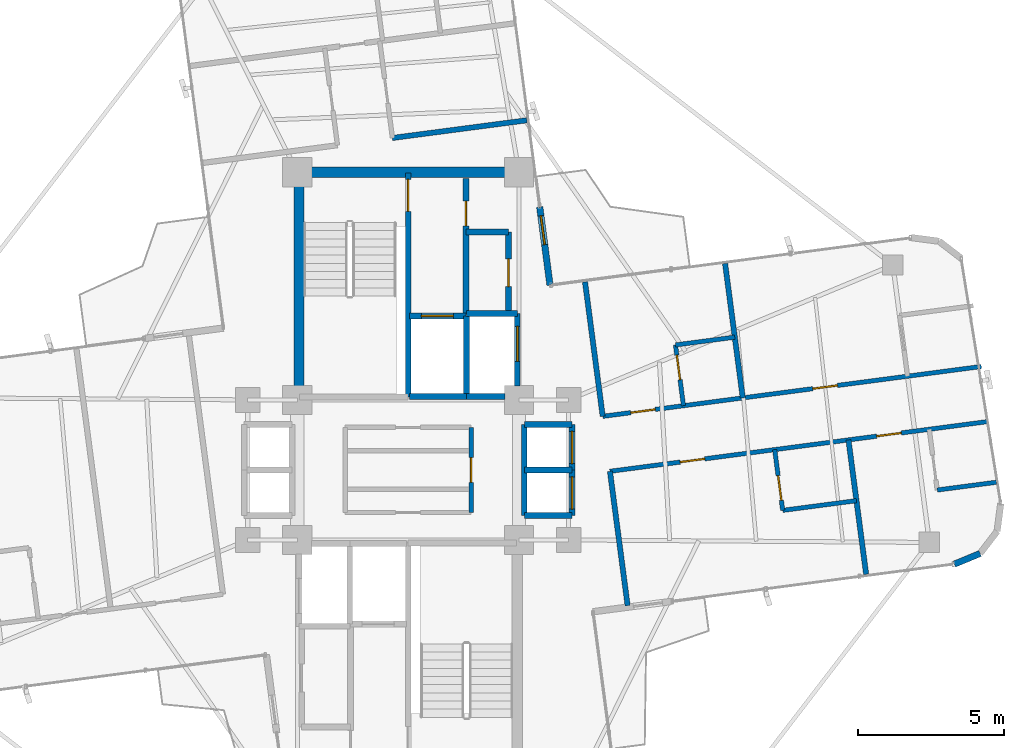
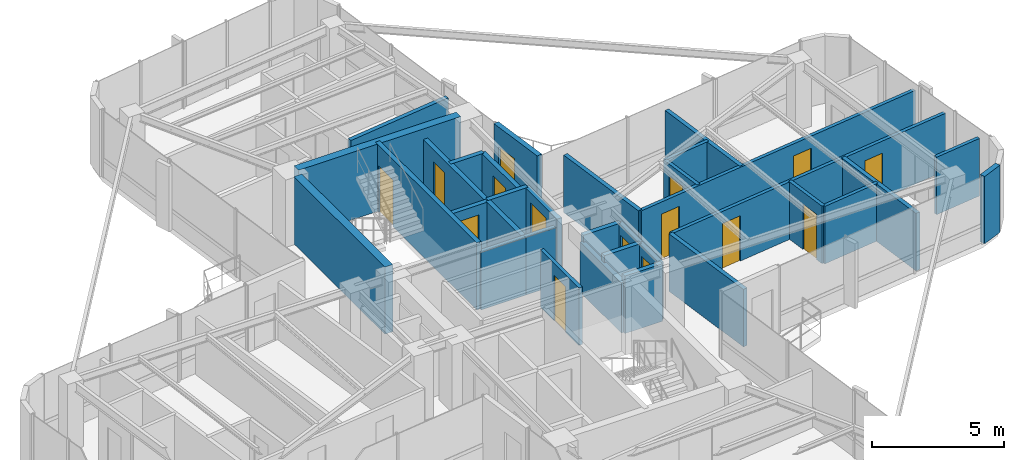
# One storey, part 19 of 21: 33 walls, 15 doors, 15 openings.
"""IFC4 building model written with IfcOpenShell, lengths in metres."""

from ifc_helpers import new_model, si_unit, direction, frame, frame_2d, origin, origin_2d, place, context, subcontext, project, spatial, rectangle, extrude, source, transform, mapped, material, layer, layer_set, type_object, element, fill, save


model = new_model("IFC4")

# Units and contexts
model_context = context("Model", 3, precision=1e-05, world=origin(), true_north=direction((0.0, 1.0)))
body_context = subcontext(model_context, "Body", "Model", "MODEL_VIEW")
ifc_project = project(units=[si_unit("LENGTHUNIT", "METRE"), si_unit("AREAUNIT", "SQUARE_METRE"), si_unit("VOLUMEUNIT", "CUBIC_METRE"), si_unit("PLANEANGLEUNIT", "RADIAN"), si_unit("MASSUNIT", "GRAM", prefix="KILO")], contexts=[model_context])

# Site, building, storey
site_placement = place(None, origin())
site = spatial("IfcSite", under=ifc_project, at=site_placement, CompositionType="ELEMENT")
building_placement = place(site_placement, origin())
building = spatial("IfcBuilding", under=site, at=building_placement, Name="Sahyath Konkavel Grand Hotel", CompositionType="ELEMENT")
storey_placement = place(building_placement, frame((0.0, 0.0, 219.89990234375)))
storey = spatial("IfcBuildingStorey", under=building, at=storey_placement, Name="L61", CompositionType="ELEMENT", Elevation=219.89990234375)

# Walls
ifc_material_1 = material(Name="Concrete C40/50", Category="concrete")
ifc_layer_1 = layer(ifc_material_1, 0.35009765625)
ifc_layer_set_1 = layer_set([ifc_layer_1], Name="Concrete C40/50")
wall_type_1 = type_object("IfcWallType", Name="CWALL-350", PredefinedType="SHEAR", material=ifc_layer_set_1)
wall_1_placement = place(storey_placement, frame((-3.550048828125, 10.199951171875, 0.0), z_axis=(0.0, 0.0, 1.0), x_axis=(1.0, 0.0, 0.0)))
element("IfcWall", 1, at=wall_1_placement, inside=storey, type_object=wall_type_1, Name="L61 North Core Shear Wall N", PredefinedType="SHEAR", context=body_context, shape_type="SweptSolid", body=[
    extrude(rectangle(XDim=7.10009765625, YDim=0.35009765625, at=frame_2d((3.550048828125, 0.0))), origin(), (0.0, 0.0, 1.0), 3.110107421875),
])
wall_2_placement = place(storey_placement, frame((-3.739990234375, 2.85009765625, 0.0), z_axis=(0.0, 0.0, 1.0), x_axis=(0.0, 1.0, 0.0)))
element("IfcWall", 2, at=wall_2_placement, inside=storey, type_object=wall_type_1, Name="L61 North Core Shear Wall W", PredefinedType="SHEAR", context=body_context, shape_type="SweptSolid", body=[
    extrude(rectangle(XDim=6.89990234375, YDim=0.35009765625, at=frame_2d((3.449951171875, 0.0))), origin(), (0.0, 0.0, 1.0), 3.110107421875),
])
ifc_material_2 = material(Name="Warm Buff Sandstone Insulated Concrete C40/50", Category="masonry")
ifc_layer_2 = layer(ifc_material_2, 0.219970703125)
ifc_layer_set_2 = layer_set([ifc_layer_2], Name="Warm Buff Sandstone Insulated Concrete C40/50")
wall_type_2 = type_object("IfcWallType", Name="WLL-BALC-THRESH", PredefinedType="STANDARD", material=ifc_layer_set_2)
wall_3_placement = place(storey_placement, frame((18.71875, -3.230224609375, 0.0), z_axis=(0.0, 0.0, 1.0), x_axis=(0.923979554509, 0.382441868588, 0.0)))
element("IfcWall", 3, at=wall_3_placement, inside=storey, type_object=wall_type_2, Name="L61 Rounded Corner Sandstone Pier 1", PredefinedType="STANDARD", context=body_context, shape_type="SweptSolid", body=[
    extrude(rectangle(XDim=0.95751953125, YDim=0.219970703125, at=frame_2d((0.478759765625, 0.0))), origin(), (0.0, 0.0, 1.0), 3.110107421875),
])

# Wall, opening, door
wall_4_placement = place(storey_placement, frame((4.860595703125, 6.334716796875, 0.0), z_axis=(0.0, 0.0, 1.0), x_axis=(-0.130487261016, 0.991449985986, 0.0)))
wall_4 = element("IfcWall", 4, at=wall_4_placement, inside=storey, type_object=wall_type_2, Name="L61 Winter-Garden Threshold Wall 8", PredefinedType="STANDARD", context=body_context, shape_type="SweptSolid", body=[
    extrude(rectangle(XDim=2.699951171875, YDim=0.219970703125, at=frame_2d((1.35009765625, 0.0))), origin(), (0.0, 0.0, 1.0), 3.110107421875),
])
opening_1_placement = place(wall_4_placement, frame((1.39990234375, 0.0, 0.0)))
opening_1 = element("IfcOpeningElement", 5, at=opening_1_placement, cuts=wall_4, Name="Opening D-TR1", PredefinedType="OPENING", context=body_context, shape_type="SweptSolid", body=[
    extrude(rectangle(XDim=1.0, YDim=2.199951171875, at=frame_2d((0.5, 1.10009765625))), frame((0.0, 0.1201171875, 0.0), z_axis=(0.0, -1.0, 0.0), x_axis=(1.0, 0.0, 0.0)), (0.0, 0.0, 1.0), 0.239990234375),
])
ifc_material_3 = material(Name="Anodised Bronze Aluminium & Low-E Glazing", Category="aluminium")
door_type_1 = type_object("IfcDoorType", Name="DR-TERRACE-1000", OperationType="NOTDEFINED", PredefinedType="DOOR", material=ifc_material_3)
shared_shape_1 = source(origin(), body_context, "Body", "SweptSolid", [
    extrude(rectangle(XDim=1.0, YDim=0.050048828125, at=origin_2d()), origin(), (0.0, 0.0, 1.0), 2.199951171875),
])
door_1_placement = place(opening_1_placement, frame((0.5, 0.0, 0.0)))
door_1 = element("IfcDoor", 6, at=door_1_placement, inside=storey, type_object=door_type_1, Name="L61 Winter-Garden Terrace Door 8", OperationType="SINGLE_SWING_LEFT", OverallHeight=2.199951171875, OverallWidth=1.0, PredefinedType="DOOR", context=body_context, shape_type="MappedRepresentation", body=[
    mapped(shared_shape_1, transform((0.0, 0.0, 0.0), scale=1.0)),
])
fill(opening_1, door_1)

ifc_layer_3 = layer(ifc_material_1, 0.199951171875)
ifc_layer_set_3 = layer_set([ifc_layer_3], Name="Concrete C40/50")
wall_type_3 = type_object("IfcWallType", Name="WLL-CORE-200", PredefinedType="SOLIDWALL", material=ifc_layer_set_3)
wall_5_placement = place(storey_placement, frame((0.0, 2.5, 0.0), z_axis=(0.0, 0.0, 1.0), x_axis=(0.0, 1.0, 0.0)))
wall_5 = element("IfcWall", 7, at=wall_5_placement, inside=storey, type_object=wall_type_3, Name="L61 Stair ST-1 Shaft Wall E", PredefinedType="SOLIDWALL", context=body_context, shape_type="SweptSolid", body=[
    extrude(rectangle(XDim=7.679931640625, YDim=0.199951171875, at=frame_2d((3.83984375, 0.0))), origin(), (0.0, 0.0, 1.0), 3.110107421875),
])
opening_2_placement = place(wall_5_placement, frame((6.360107421875, 0.0, 0.0)))
opening_2 = element("IfcOpeningElement", 8, at=opening_2_placement, cuts=wall_5, Name="Opening D-F12B", PredefinedType="OPENING", context=body_context, shape_type="SweptSolid", body=[
    extrude(rectangle(XDim=1.10009765625, YDim=2.14990234375, at=frame_2d((0.550048828125, 1.074951171875))), frame((0.0, 0.10986328125, 0.0), z_axis=(0.0, -1.0, 0.0), x_axis=(1.0, 0.0, 0.0)), (0.0, 0.0, 1.0), 0.219970703125),
])
ifc_material_4 = material(Name="Steel E350 Smokeproof Fire Door", Category="steel")
door_type_2 = type_object("IfcDoorType", Name="DR-FD120-1100", OperationType="NOTDEFINED", PredefinedType="DOOR", material=ifc_material_4)
shared_shape_2 = source(origin(), body_context, "Body", "SweptSolid", [
    extrude(rectangle(XDim=1.10009765625, YDim=0.050048828125, at=origin_2d()), origin(), (0.0, 0.0, 1.0), 2.14990234375),
])
door_2_placement = place(opening_2_placement, frame((0.550048828125, 0.0, 0.0)))
door_2 = element("IfcDoor", 9, at=door_2_placement, inside=storey, type_object=door_type_2, Name="L61 Stair ST-1 Fire Door", OperationType="SINGLE_SWING_LEFT", OverallHeight=2.14990234375, OverallWidth=1.10009765625, PredefinedType="DOOR", context=body_context, shape_type="MappedRepresentation", body=[
    mapped(shared_shape_2, transform((0.0, 0.0, 0.0), scale=1.0)),
])
fill(opening_2, door_2)

wall_6_placement = place(storey_placement, frame((1.97998046875, 5.320068359375, 0.0), z_axis=(0.0, 0.0, 1.0), x_axis=(0.0, 1.0, 0.0)))
wall_6 = element("IfcWall", 10, at=wall_6_placement, inside=storey, type_object=wall_type_3, Name="L61 North Firefighting Lobby Wall E", PredefinedType="SOLIDWALL", context=body_context, shape_type="SweptSolid", body=[
    extrude(rectangle(XDim=4.659912109375, YDim=0.199951171875, at=frame_2d((2.330078125, 0.0))), origin(), (0.0, 0.0, 1.0), 2.66015625),
])
opening_3_placement = place(wall_6_placement, frame((3.0400390625, 0.0, 0.0)))
opening_3 = element("IfcOpeningElement", 11, at=opening_3_placement, cuts=wall_6, Name="Opening D-F12D", PredefinedType="OPENING", context=body_context, shape_type="SweptSolid", body=[
    extrude(rectangle(XDim=0.85009765625, YDim=2.10009765625, at=frame_2d((0.425048828125, 1.050048828125))), frame((0.0, 0.10986328125, 0.0), z_axis=(0.0, -1.0, 0.0), x_axis=(1.0, 0.0, 0.0)), (0.0, 0.0, 1.0), 0.219970703125),
])
ifc_material_5 = material(Name="Steel E350 Core Fire Door", Category="steel")
door_type_3 = type_object("IfcDoorType", Name="DR-FD120-850", OperationType="NOTDEFINED", PredefinedType="DOOR", material=ifc_material_5)
shared_shape_3 = source(origin(), body_context, "Body", "SweptSolid", [
    extrude(rectangle(XDim=0.85009765625, YDim=0.050048828125, at=origin_2d()), origin(), (0.0, 0.0, 1.0), 2.10009765625),
])
door_3_placement = place(opening_3_placement, frame((0.425048828125, 0.0, 0.0)))
door_3 = element("IfcDoor", 12, at=door_3_placement, inside=storey, type_object=door_type_3, Name="L61 North Firefighting Lobby Door", OperationType="SINGLE_SWING_LEFT", OverallHeight=2.10009765625, OverallWidth=0.85009765625, PredefinedType="DOOR", context=body_context, shape_type="MappedRepresentation", body=[
    mapped(shared_shape_3, transform((0.0, 0.0, 0.0), scale=1.0)),
])
fill(opening_3, door_3)

# Walls
wall_7_placement = place(storey_placement, frame((2.0, 2.5, 0.0), z_axis=(0.0, 0.0, 1.0), x_axis=(0.0, 1.0, 0.0)))
element("IfcWall", 13, at=wall_7_placement, inside=storey, type_object=wall_type_3, Name="L61 Partition SH-FFL1-E", PredefinedType="SOLIDWALL", context=body_context, shape_type="SweptSolid", body=[
    extrude(rectangle(XDim=2.780029296875, YDim=0.199951171875, at=frame_2d((1.39013671875, 0.0))), origin(), (0.0, 0.0, 1.0), 2.66015625),
])
wall_8_placement = place(storey_placement, frame((0.050048828125, 2.52001953125, 0.0), z_axis=(0.0, 0.0, 1.0), x_axis=(1.0, 0.0, 0.0)))
element("IfcWall", 14, at=wall_8_placement, inside=storey, type_object=wall_type_3, Name="L61 Partition SH-FFL1-S", PredefinedType="SOLIDWALL", context=body_context, shape_type="SweptSolid", body=[
    extrude(rectangle(XDim=1.949951171875, YDim=0.199951171875, at=frame_2d((0.97509765625, 0.0))), origin(), (0.0, 0.0, 1.0), 2.66015625),
])

# Wall, opening, door
wall_9_placement = place(storey_placement, frame((0.050048828125, 5.280029296875, 0.0), z_axis=(0.0, 0.0, 1.0), x_axis=(1.0, 0.0, 0.0)))
wall_9 = element("IfcWall", 15, at=wall_9_placement, inside=storey, type_object=wall_type_3, Name="L61 Partition SH-FFL1-N", PredefinedType="SOLIDWALL", context=body_context, shape_type="SweptSolid", body=[
    extrude(rectangle(XDim=1.929931640625, YDim=0.199951171875, at=frame_2d((0.96484375, 0.0))), origin(), (0.0, 0.0, 1.0), 2.66015625),
])
opening_4_placement = place(wall_9_placement, frame((0.39990234375, 0.0, 0.0)))
opening_4 = element("IfcOpeningElement", 16, at=opening_4_placement, cuts=wall_9, Name="Opening LD-11", PredefinedType="OPENING", context=body_context, shape_type="SweptSolid", body=[
    extrude(rectangle(XDim=1.10009765625, YDim=2.199951171875, at=frame_2d((0.550048828125, 1.10009765625))), frame((0.0, 0.10986328125, 0.0), z_axis=(0.0, -1.0, 0.0), x_axis=(1.0, 0.0, 0.0)), (0.0, 0.0, 1.0), 0.219970703125),
])
ifc_material_6 = material(Name="Bronze Lift Landing Door 1100")
door_type_4 = type_object("IfcDoorType", Name="DR-LIFT-1100", OperationType="DOUBLE_DOOR_SLIDING", PredefinedType="DOOR", material=ifc_material_6)
shared_shape_4 = source(origin(), body_context, "Body", "SweptSolid", [
    extrude(rectangle(XDim=1.10009765625, YDim=0.050048828125, at=origin_2d()), origin(), (0.0, 0.0, 1.0), 2.199951171875),
])
door_4_placement = place(opening_4_placement, frame((0.550048828125, 0.0, 0.0)))
door_4 = element("IfcDoor", 17, at=door_4_placement, inside=storey, type_object=door_type_4, Name="L61 Lift FFL-1 Landing Door", OperationType="DOUBLE_DOOR_SLIDING", OverallHeight=2.199951171875, OverallWidth=1.10009765625, PredefinedType="DOOR", context=body_context, shape_type="MappedRepresentation", body=[
    mapped(shared_shape_4, transform((0.0, 0.0, 0.0), scale=1.0)),
])
fill(opening_4, door_4)

# Walls
wall_10_placement = place(storey_placement, frame((2.0, 2.52001953125, 0.0), z_axis=(0.0, 0.0, 1.0), x_axis=(1.0, 0.0, 0.0)))
element("IfcWall", 18, at=wall_10_placement, inside=storey, type_object=wall_type_3, Name="L61 Partition SH-SVL1-S", PredefinedType="SOLIDWALL", context=body_context, shape_type="SweptSolid", body=[
    extrude(rectangle(XDim=1.320068359375, YDim=0.199951171875, at=frame_2d((0.66015625, 0.0))), origin(), (0.0, 0.0, 1.0), 2.66015625),
])
wall_11_placement = place(storey_placement, frame((2.0, 5.360107421875, 0.0), z_axis=(0.0, 0.0, 1.0), x_axis=(1.0, 0.0, 0.0)))
element("IfcWall", 19, at=wall_11_placement, inside=storey, type_object=wall_type_3, Name="L61 Partition SH-SVL1-N", PredefinedType="SOLIDWALL", context=body_context, shape_type="SweptSolid", body=[
    extrude(rectangle(XDim=1.739990234375, YDim=0.199951171875, at=frame_2d((0.8701171875, 0.0))), origin(), (0.0, 0.0, 1.0), 2.66015625),
])

# Wall, opening, door
wall_12_placement = place(storey_placement, frame((3.739990234375, 2.8798828125, 0.0), z_axis=(0.0, 0.0, 1.0), x_axis=(0.0, 1.0, 0.0)))
wall_12 = element("IfcWall", 20, at=wall_12_placement, inside=storey, type_object=wall_type_3, Name="L61 Partition SH-SVL1-E", PredefinedType="SOLIDWALL", context=body_context, shape_type="SweptSolid", body=[
    extrude(rectangle(XDim=2.480224609375, YDim=0.199951171875, at=frame_2d((1.240234375, 0.0))), origin(), (0.0, 0.0, 1.0), 2.66015625),
])
opening_5_placement = place(wall_12_placement, frame((0.840087890625, 0.0, 0.0)))
opening_5 = element("IfcOpeningElement", 21, at=opening_5_placement, cuts=wall_12, Name="Opening LD-12", PredefinedType="OPENING", context=body_context, shape_type="SweptSolid", body=[
    extrude(rectangle(XDim=1.199951171875, YDim=2.199951171875, at=frame_2d((0.60009765625, 1.10009765625))), frame((0.0, 0.10986328125, 0.0), z_axis=(0.0, -1.0, 0.0), x_axis=(1.0, 0.0, 0.0)), (0.0, 0.0, 1.0), 0.219970703125),
])
ifc_material_7 = material(Name="Stainless Steel Lift Landing Door 1200", Category="steel")
door_type_5 = type_object("IfcDoorType", Name="DR-LIFT-1200", OperationType="DOUBLE_DOOR_SLIDING", PredefinedType="DOOR", material=ifc_material_7)
shared_shape_5 = source(origin(), body_context, "Body", "SweptSolid", [
    extrude(rectangle(XDim=1.199951171875, YDim=0.050048828125, at=origin_2d()), origin(), (0.0, 0.0, 1.0), 2.199951171875),
])
door_5_placement = place(opening_5_placement, frame((0.60009765625, 0.0, 0.0)))
door_5 = element("IfcDoor", 22, at=door_5_placement, inside=storey, type_object=door_type_5, Name="L61 Service Lift SVL-1 Landing Door", OperationType="DOUBLE_DOOR_SLIDING", OverallHeight=2.199951171875, OverallWidth=1.199951171875, PredefinedType="DOOR", context=body_context, shape_type="MappedRepresentation", body=[
    mapped(shared_shape_5, transform((0.0, 0.0, 0.0), scale=1.0)),
])
fill(opening_5, door_5)

# Walls
wall_13_placement = place(storey_placement, frame((3.97998046875, -1.56005859375, 0.0), z_axis=(0.0, 0.0, 1.0), x_axis=(0.0, 1.0, 0.0)))
element("IfcWall", 23, at=wall_13_placement, inside=storey, type_object=wall_type_3, Name="L61 Partition SH-PL56-W", PredefinedType="SOLIDWALL", context=body_context, shape_type="SweptSolid", body=[
    extrude(rectangle(XDim=3.1201171875, YDim=0.199951171875, at=frame_2d((1.56005859375, 0.0))), origin(), (0.0, 0.0, 1.0), 2.330078125),
])
for number, where, z_axis, x_axis, name in (
    (24, (3.97998046875, 1.56005859375, 0.0), (0.0, 0.0, 1.0), (1.0, 0.0, 0.0), "L61 Partition SH-PL56-N"),
    (25, (3.97998046875, -1.56005859375, 0.0), (0.0, 0.0, 1.0), (1.0, 0.0, 0.0), "L61 Partition SH-PL56-S"),
    (26, (3.97998046875, 0.0, 0.0), (0.0, 0.0, 1.0), (1.0, 0.0, 0.0), "L61 Partition SH-PL56-M"),
):
    element("IfcWall", number, at=place(storey_placement, frame(where, z_axis=z_axis, x_axis=x_axis)), inside=storey, type_object=wall_type_3, Name=name, PredefinedType="SOLIDWALL", context=body_context, shape_type="SweptSolid", body=[
        extrude(rectangle(XDim=1.64013671875, YDim=0.199951171875, at=frame_2d((0.820068359375, 0.0))), origin(), (0.0, 0.0, 1.0), 2.66015625),
    ])

# Wall, opening, door
wall_14_placement = place(storey_placement, frame((5.6201171875, 0.0, 0.0), z_axis=(0.0, 0.0, 1.0), x_axis=(0.0, 1.0, 0.0)))
wall_14 = element("IfcWall", 27, at=wall_14_placement, inside=storey, type_object=wall_type_3, Name="L61 Partition SH-PL5-E", PredefinedType="SOLIDWALL", context=body_context, shape_type="SweptSolid", body=[
    extrude(rectangle(XDim=1.56005859375, YDim=0.199951171875, at=frame_2d((0.780029296875, 0.0))), origin(), (0.0, 0.0, 1.0), 2.66015625),
])
opening_6_placement = place(wall_14_placement, frame((0.219970703125, 0.0, 0.0)))
opening_6 = element("IfcOpeningElement", 28, at=opening_6_placement, cuts=wall_14, Name="Opening LD-11", PredefinedType="OPENING", context=body_context, shape_type="SweptSolid", body=[
    extrude(rectangle(XDim=1.10009765625, YDim=2.199951171875, at=frame_2d((0.550048828125, 1.10009765625))), frame((0.0, 0.10986328125, 0.0), z_axis=(0.0, -1.0, 0.0), x_axis=(1.0, 0.0, 0.0)), (0.0, 0.0, 1.0), 0.219970703125),
])
door_6_placement = place(opening_6_placement, frame((0.550048828125, 0.0, 0.0)))
door_6 = element("IfcDoor", 29, at=door_6_placement, inside=storey, type_object=door_type_4, Name="L61 High-Rise Lift PL-5 Landing Door", OperationType="DOUBLE_DOOR_SLIDING", OverallHeight=2.199951171875, OverallWidth=1.10009765625, PredefinedType="DOOR", context=body_context, shape_type="MappedRepresentation", body=[
    mapped(shared_shape_4, transform((0.0, 0.0, 0.0), scale=1.0)),
])
fill(opening_6, door_6)

wall_15_placement = place(storey_placement, frame((5.6201171875, -1.56005859375, 0.0), z_axis=(0.0, 0.0, 1.0), x_axis=(0.0, 1.0, 0.0)))
wall_15 = element("IfcWall", 30, at=wall_15_placement, inside=storey, type_object=wall_type_3, Name="L61 Partition SH-PL6-E", PredefinedType="SOLIDWALL", context=body_context, shape_type="SweptSolid", body=[
    extrude(rectangle(XDim=1.56005859375, YDim=0.199951171875, at=frame_2d((0.780029296875, 0.0))), origin(), (0.0, 0.0, 1.0), 2.66015625),
])
opening_7_placement = place(wall_15_placement, frame((0.219970703125, 0.0, 0.0)))
opening_7 = element("IfcOpeningElement", 31, at=opening_7_placement, cuts=wall_15, Name="Opening LD-11", PredefinedType="OPENING", context=body_context, shape_type="SweptSolid", body=[
    extrude(rectangle(XDim=1.10009765625, YDim=2.199951171875, at=frame_2d((0.550048828125, 1.10009765625))), frame((0.0, 0.10986328125, 0.0), z_axis=(0.0, -1.0, 0.0), x_axis=(1.0, 0.0, 0.0)), (0.0, 0.0, 1.0), 0.219970703125),
])
door_7_placement = place(opening_7_placement, frame((0.550048828125, 0.0, 0.0)))
door_7 = element("IfcDoor", 32, at=door_7_placement, inside=storey, type_object=door_type_4, Name="L61 High-Rise Lift PL-6 Landing Door", OperationType="DOUBLE_DOOR_SLIDING", OverallHeight=2.199951171875, OverallWidth=1.10009765625, PredefinedType="DOOR", context=body_context, shape_type="MappedRepresentation", body=[
    mapped(shared_shape_4, transform((0.0, 0.0, 0.0), scale=1.0)),
])
fill(opening_7, door_7)

wall_16_placement = place(storey_placement, frame((3.43994140625, 5.3798828125, 0.0), z_axis=(0.0, 0.0, 1.0), x_axis=(0.0, 1.0, 0.0)))
wall_16 = element("IfcWall", 33, at=wall_16_placement, inside=storey, type_object=wall_type_3, Name="L61 Reclaimed North Core Wall E", PredefinedType="SOLIDWALL", context=body_context, shape_type="SweptSolid", body=[
    extrude(rectangle(XDim=2.77001953125, YDim=0.199951171875, at=frame_2d((1.385009765625, 0.0))), origin(), (0.0, 0.0, 1.0), 2.66015625),
])
opening_8_placement = place(wall_16_placement, frame((0.89990234375, 0.0, 0.0)))
opening_8 = element("IfcOpeningElement", 34, at=opening_8_placement, cuts=wall_16, Name="Opening D-F06B", PredefinedType="OPENING", context=body_context, shape_type="SweptSolid", body=[
    extrude(rectangle(XDim=0.949951171875, YDim=2.14990234375, at=frame_2d((0.47509765625, 1.074951171875))), frame((0.0, 0.10986328125, 0.0), z_axis=(0.0, -1.0, 0.0), x_axis=(1.0, 0.0, 0.0)), (0.0, 0.0, 1.0), 0.219970703125),
])
ifc_material_8 = material(Name="Teak Veneer Fire-Rated Guest Entrance Door")
door_type_6 = type_object("IfcDoorType", Name="DR-FD60-950", OperationType="NOTDEFINED", PredefinedType="DOOR", material=ifc_material_8)
shared_shape_6 = source(origin(), body_context, "Body", "SweptSolid", [
    extrude(rectangle(XDim=0.949951171875, YDim=0.050048828125, at=origin_2d()), origin(), (0.0, 0.0, 1.0), 2.14990234375),
])
door_8_placement = place(opening_8_placement, frame((0.47509765625, 0.0, 0.0)))
door_8 = element("IfcDoor", 35, at=door_8_placement, inside=storey, type_object=door_type_6, Name="L61 Door NC-REC1-D", OperationType="SINGLE_SWING_LEFT", OverallHeight=2.14990234375, OverallWidth=0.949951171875, PredefinedType="DOOR", context=body_context, shape_type="MappedRepresentation", body=[
    mapped(shared_shape_6, transform((0.0, 0.0, 0.0), scale=1.0)),
])
fill(opening_8, door_8)

# Walls
wall_17_placement = place(storey_placement, frame((1.97998046875, 8.14990234375, 0.0), z_axis=(0.0, 0.0, 1.0), x_axis=(1.0, 0.0, 0.0)))
element("IfcWall", 36, at=wall_17_placement, inside=storey, type_object=wall_type_3, Name="L61 Partition NC-REC-N", PredefinedType="SOLIDWALL", context=body_context, shape_type="SweptSolid", body=[
    extrude(rectangle(XDim=1.4599609375, YDim=0.199951171875, at=frame_2d((0.72998046875, 0.0))), origin(), (0.0, 0.0, 1.0), 2.66015625),
])
ifc_material_9 = material(Name="Twin-Stud Acoustic Gypsum Plasterboard Partition")
ifc_layer_4 = layer(ifc_material_9, 0.179931640625)
ifc_layer_set_4 = layer_set([ifc_layer_4], Name="Twin-Stud Acoustic Gypsum Plasterboard Partition")
wall_type_4 = type_object("IfcWallType", Name="WLL-DEMISE-180", PredefinedType="PARTITIONING", material=ifc_layer_set_4)
for number, where, z_axis, x_axis, name in (
    (37, (6.66748046875, 1.8359375, 0.0), (0.0, 0.0, 1.0), (-0.13053199439, 0.991444097486, 0.0), "L61 Partition E-INL"),
    (38, (7.521728515625, -4.654052734375, 0.0), (0.0, 0.0, 1.0), (-0.13053199439, 0.991444097486, 0.0), "L61 Partition E-INR"),
    (39, (11.468017578125, 2.468017578125, 0.0), (0.0, 0.0, 1.0), (-0.13053199439, 0.991444097486, 0.0), "L61 Partition E-E1L-DEM"),
    (40, (15.08984375, 1.0283203125, 0.0), (0.0, 0.0, 1.0), (0.13053199439, -0.991444097486, 0.0), "L61 Partition E-E1R-DEM"),
    (41, (4.066650390625, 11.9833984375, 0.0), (0.0, 0.0, 1.0), (-0.991444097486, -0.13053199439, 0.0), "L61 Partition N-INR"),
):
    element("IfcWall", number, at=place(storey_placement, frame(where, z_axis=z_axis, x_axis=x_axis)), inside=storey, type_object=wall_type_4, Name=name, PredefinedType="PARTITIONING", context=body_context, shape_type="SweptSolid", body=[
        extrude(rectangle(XDim=4.64599609375, YDim=0.179931640625, at=frame_2d((2.322998046875, 0.0))), origin(), (0.0, 0.0, 1.0), 2.66015625),
    ])

# Wall, opening, door
ifc_material_10 = material(Name="Fire-Rated Gypsum Plasterboard Partition")
ifc_layer_5 = layer(ifc_material_10, 0.14990234375)
ifc_layer_set_5 = layer_set([ifc_layer_5], Name="Fire-Rated Gypsum Plasterboard Partition")
wall_type_5 = type_object("IfcWallType", Name="WLL-PART-150", PredefinedType="PARTITIONING", material=ifc_layer_set_5)
wall_18_placement = place(storey_placement, frame((2.159912109375, -1.4599609375, 0.0), z_axis=(0.0, 0.0, 1.0), x_axis=(0.0, 1.0, 0.0)))
wall_18 = element("IfcWall", 42, at=wall_18_placement, inside=storey, type_object=wall_type_5, Name="L61 Partition CC-2E", PredefinedType="PARTITIONING", context=body_context, shape_type="SweptSolid", body=[
    extrude(rectangle(XDim=2.919921875, YDim=0.14990234375, at=frame_2d((1.4599609375, 0.0))), origin(), (0.0, 0.0, 1.0), 2.66015625),
])
opening_9_placement = place(wall_18_placement, frame((1.034912109375, 0.0, 0.0)))
opening_9 = element("IfcOpeningElement", 43, at=opening_9_placement, cuts=wall_18, Name="Opening D-F06D", PredefinedType="OPENING", context=body_context, shape_type="SweptSolid", body=[
    extrude(rectangle(XDim=0.85009765625, YDim=2.10009765625, at=frame_2d((0.425048828125, 1.050048828125))), frame((0.0, 0.0849609375, 0.0), z_axis=(0.0, -1.0, 0.0), x_axis=(1.0, 0.0, 0.0)), (0.0, 0.0, 1.0), 0.169921875),
])
ifc_material_11 = material(Name="Fire-Rated Shaft Access Door")
door_type_7 = type_object("IfcDoorType", Name="DR-FD60-850", OperationType="NOTDEFINED", PredefinedType="DOOR", material=ifc_material_11)
door_9_placement = place(opening_9_placement, frame((0.425048828125, 0.0, 0.0)))
door_9 = element("IfcDoor", 44, at=door_9_placement, inside=storey, type_object=door_type_7, Name="L61 Door CC-D2B", OperationType="SINGLE_SWING_RIGHT", OverallHeight=2.10009765625, OverallWidth=0.85009765625, PredefinedType="DOOR", context=body_context, shape_type="MappedRepresentation", body=[
    mapped(shared_shape_3, transform((0.0, 0.0, 0.0), scale=1.0)),
])
fill(opening_9, door_9)

# Wall, openings, doors
wall_19_placement = place(storey_placement, frame((6.66748046875, 1.8359375, 0.0), z_axis=(0.0, 0.0, 1.0), x_axis=(0.991444069462, 0.130532207245, 0.0)))
wall_19 = element("IfcWall", 45, at=wall_19_placement, inside=storey, type_object=wall_type_5, Name="L61 Partition E-CL", PredefinedType="PARTITIONING", context=body_context, shape_type="SweptSolid", body=[
    extrude(rectangle(XDim=13.0869140625, YDim=0.14990234375, at=frame_2d((6.54345703125, 0.0))), origin(), (0.0, 0.0, 1.0), 2.66015625),
])
opening_10_placement = place(wall_19_placement, frame((0.970947265625, 0.0, 0.0)))
opening_10 = element("IfcOpeningElement", 46, at=opening_10_placement, cuts=wall_19, Name="Opening D-F06D", PredefinedType="OPENING", context=body_context, shape_type="SweptSolid", body=[
    extrude(rectangle(XDim=0.85009765625, YDim=2.10009765625, at=frame_2d((0.425048828125, 1.050048828125))), frame((0.0, 0.0849609375, 0.0), z_axis=(0.0, -1.0, 0.0), x_axis=(1.0, 0.0, 0.0)), (0.0, 0.0, 1.0), 0.169921875),
])
opening_11_placement = place(wall_19_placement, frame((7.264892578125, 0.0, 0.0)))
opening_11 = element("IfcOpeningElement", 47, at=opening_11_placement, cuts=wall_19, Name="Opening D-F06D", PredefinedType="OPENING", context=body_context, shape_type="SweptSolid", body=[
    extrude(rectangle(XDim=0.85009765625, YDim=2.10009765625, at=frame_2d((0.425048828125, 1.050048828125))), frame((0.0, 0.0849609375, 0.0), z_axis=(0.0, -1.0, 0.0), x_axis=(1.0, 0.0, 0.0)), (0.0, 0.0, 1.0), 0.169921875),
])
door_10_placement = place(opening_10_placement, frame((0.425048828125, 0.0, 0.0)))
door_10 = element("IfcDoor", 48, at=door_10_placement, inside=storey, type_object=door_type_7, Name="L61 Door E-E1L-ED", OperationType="SINGLE_SWING_LEFT", OverallHeight=2.10009765625, OverallWidth=0.85009765625, PredefinedType="DOOR", context=body_context, shape_type="MappedRepresentation", body=[
    mapped(shared_shape_3, transform((0.0, 0.0, 0.0), scale=1.0)),
])
fill(opening_10, door_10)
door_11_placement = place(opening_11_placement, frame((0.425048828125, 0.0, 0.0)))
door_11 = element("IfcDoor", 49, at=door_11_placement, inside=storey, type_object=door_type_7, Name="L61 Door E-E2L-ED", OperationType="SINGLE_SWING_LEFT", OverallHeight=2.10009765625, OverallWidth=0.85009765625, PredefinedType="DOOR", context=body_context, shape_type="MappedRepresentation", body=[
    mapped(shared_shape_3, transform((0.0, 0.0, 0.0), scale=1.0)),
])
fill(opening_11, door_11)

wall_20_placement = place(storey_placement, frame((6.915283203125, -0.0478515625, 0.0), z_axis=(0.0, 0.0, 1.0), x_axis=(0.991444387317, 0.130529792986, 0.0)))
wall_20 = element("IfcWall", 50, at=wall_20_placement, inside=storey, type_object=wall_type_5, Name="L61 Partition E-CR", PredefinedType="PARTITIONING", context=body_context, shape_type="SweptSolid", body=[
    extrude(rectangle(XDim=13.087158203125, YDim=0.14990234375, at=frame_2d((6.54345703125, 0.0))), origin(), (0.0, 0.0, 1.0), 2.66015625),
])
opening_12_placement = place(wall_20_placement, frame((2.423095703125, 0.0, 0.0)))
opening_12 = element("IfcOpeningElement", 51, at=opening_12_placement, cuts=wall_20, Name="Opening D-F06D", PredefinedType="OPENING", context=body_context, shape_type="SweptSolid", body=[
    extrude(rectangle(XDim=0.85009765625, YDim=2.10009765625, at=frame_2d((0.425048828125, 1.050048828125))), frame((0.0, 0.0849609375, 0.0), z_axis=(0.0, -1.0, 0.0), x_axis=(1.0, 0.0, 0.0)), (0.0, 0.0, 1.0), 0.169921875),
])
opening_13_placement = place(wall_20_placement, frame((9.216064453125, 0.0, 0.0)))
opening_13 = element("IfcOpeningElement", 52, at=opening_13_placement, cuts=wall_20, Name="Opening D-F06D", PredefinedType="OPENING", context=body_context, shape_type="SweptSolid", body=[
    extrude(rectangle(XDim=0.85009765625, YDim=2.10009765625, at=frame_2d((0.425048828125, 1.050048828125))), frame((0.0, 0.0849609375, 0.0), z_axis=(0.0, -1.0, 0.0), x_axis=(1.0, 0.0, 0.0)), (0.0, 0.0, 1.0), 0.169921875),
])
door_12_placement = place(opening_12_placement, frame((0.425048828125, 0.0, 0.0)))
door_12 = element("IfcDoor", 53, at=door_12_placement, inside=storey, type_object=door_type_7, Name="L61 Door E-E1R-ED", OperationType="SINGLE_SWING_LEFT", OverallHeight=2.10009765625, OverallWidth=0.85009765625, PredefinedType="DOOR", context=body_context, shape_type="MappedRepresentation", body=[
    mapped(shared_shape_3, transform((0.0, 0.0, 0.0), scale=1.0)),
])
fill(opening_12, door_12)
door_13_placement = place(opening_13_placement, frame((0.425048828125, 0.0, 0.0)))
door_13 = element("IfcDoor", 54, at=door_13_placement, inside=storey, type_object=door_type_7, Name="L61 Door E-E2R-ED", OperationType="SINGLE_SWING_LEFT", OverallHeight=2.10009765625, OverallWidth=0.85009765625, PredefinedType="DOOR", context=body_context, shape_type="MappedRepresentation", body=[
    mapped(shared_shape_3, transform((0.0, 0.0, 0.0), scale=1.0)),
])
fill(opening_13, door_13)

# Wall, opening, door
wall_21_placement = place(storey_placement, frame((9.435546875, 2.200439453125, 0.0), z_axis=(0.0, 0.0, 1.0), x_axis=(-0.130556761174, 0.991440836415, 0.0)))
wall_21 = element("IfcWall", 55, at=wall_21_placement, inside=storey, type_object=wall_type_5, Name="L61 Partition E-E1L-BS", PredefinedType="PARTITIONING", context=body_context, shape_type="SweptSolid", body=[
    extrude(rectangle(XDim=2.10009765625, YDim=0.14990234375, at=frame_2d((1.050048828125, 0.0))), origin(), (0.0, 0.0, 1.0), 2.66015625),
])
opening_14_placement = place(wall_21_placement, frame((0.89990234375, 0.0, 0.0)))
opening_14 = element("IfcOpeningElement", 56, at=opening_14_placement, cuts=wall_21, Name="Opening D-BT85", PredefinedType="OPENING", context=body_context, shape_type="SweptSolid", body=[
    extrude(rectangle(XDim=0.85009765625, YDim=2.10009765625, at=frame_2d((0.425048828125, 1.050048828125))), frame((0.0, 0.0849609375, 0.0), z_axis=(0.0, -1.0, 0.0), x_axis=(1.0, 0.0, 0.0)), (0.0, 0.0, 1.0), 0.169921875),
])
ifc_material_12 = material(Name="Moisture-Resistant Teak Bathroom Door")
door_type_8 = type_object("IfcDoorType", Name="DR-BATH-850", OperationType="NOTDEFINED", PredefinedType="DOOR", material=ifc_material_12)
door_14_placement = place(opening_14_placement, frame((0.425048828125, 0.0, 0.0)))
door_14 = element("IfcDoor", 57, at=door_14_placement, inside=storey, type_object=door_type_8, Name="L61 Door E-E1L-BD", OperationType="SINGLE_SWING_RIGHT", OverallHeight=2.10009765625, OverallWidth=0.85009765625, PredefinedType="DOOR", context=body_context, shape_type="MappedRepresentation", body=[
    mapped(shared_shape_3, transform((0.0, 0.0, 0.0), scale=1.0)),
])
fill(opening_14, door_14)

# Wall
wall_22_placement = place(storey_placement, frame((9.161376953125, 4.282470703125, 0.0), z_axis=(0.0, 0.0, 1.0), x_axis=(0.991444969909, 0.13052536781, 0.0)))
element("IfcWall", 58, at=wall_22_placement, inside=storey, type_object=wall_type_5, Name="L61 Partition E-E1L-BF", PredefinedType="PARTITIONING", context=body_context, shape_type="SweptSolid", body=[
    extrude(rectangle(XDim=2.050048828125, YDim=0.14990234375, at=frame_2d((1.02490234375, 0.0))), origin(), (0.0, 0.0, 1.0), 2.66015625),
])

# Wall, opening, door
wall_23_placement = place(storey_placement, frame((12.561767578125, 0.695556640625, 0.0), z_axis=(0.0, 0.0, 1.0), x_axis=(0.13044248305, -0.9914558783, 0.0)))
wall_23 = element("IfcWall", 59, at=wall_23_placement, inside=storey, type_object=wall_type_5, Name="L61 Partition E-E1R-BS", PredefinedType="PARTITIONING", context=body_context, shape_type="SweptSolid", body=[
    extrude(rectangle(XDim=2.099853515625, YDim=0.14990234375, at=frame_2d((1.0498046875, 0.0))), origin(), (0.0, 0.0, 1.0), 2.66015625),
])
opening_15_placement = place(wall_23_placement, frame((0.89990234375, 0.0, 0.0)))
opening_15 = element("IfcOpeningElement", 60, at=opening_15_placement, cuts=wall_23, Name="Opening D-BT85", PredefinedType="OPENING", context=body_context, shape_type="SweptSolid", body=[
    extrude(rectangle(XDim=0.85009765625, YDim=2.10009765625, at=frame_2d((0.425048828125, 1.050048828125))), frame((0.0, 0.0849609375, 0.0), z_axis=(0.0, -1.0, 0.0), x_axis=(1.0, 0.0, 0.0)), (0.0, 0.0, 1.0), 0.169921875),
])
door_15_placement = place(opening_15_placement, frame((0.425048828125, 0.0, 0.0)))
door_15 = element("IfcDoor", 61, at=door_15_placement, inside=storey, type_object=door_type_8, Name="L61 Door E-E1R-BD", OperationType="SINGLE_SWING_RIGHT", OverallHeight=2.10009765625, OverallWidth=0.85009765625, PredefinedType="DOOR", context=body_context, shape_type="MappedRepresentation", body=[
    mapped(shared_shape_3, transform((0.0, 0.0, 0.0), scale=1.0)),
])
fill(opening_15, door_15)

# Walls
wall_24_placement = place(storey_placement, frame((12.835693359375, -1.386474609375, 0.0), z_axis=(0.0, 0.0, 1.0), x_axis=(0.99144973294, 0.130489183661, 0.0)))
element("IfcWall", 62, at=wall_24_placement, inside=storey, type_object=wall_type_5, Name="L61 Partition E-E1R-BF", PredefinedType="PARTITIONING", context=body_context, shape_type="SweptSolid", body=[
    extrude(rectangle(XDim=2.550048828125, YDim=0.14990234375, at=frame_2d((1.27490234375, 0.0))), origin(), (0.0, 0.0, 1.0), 2.66015625),
])
wall_25_placement = place(storey_placement, frame((18.132080078125, -0.689208984375, 0.0), z_axis=(0.0, 0.0, 1.0), x_axis=(0.991444969909, 0.13052536781, 0.0)))
element("IfcWall", 63, at=wall_25_placement, inside=storey, type_object=wall_type_5, Name="L61 Partition E-E2R-BF", PredefinedType="PARTITIONING", context=body_context, shape_type="SweptSolid", body=[
    extrude(rectangle(XDim=2.050048828125, YDim=0.14990234375, at=frame_2d((1.02490234375, 0.0))), origin(), (0.0, 0.0, 1.0), 2.66015625),
])

save(model, "model.ifc")
